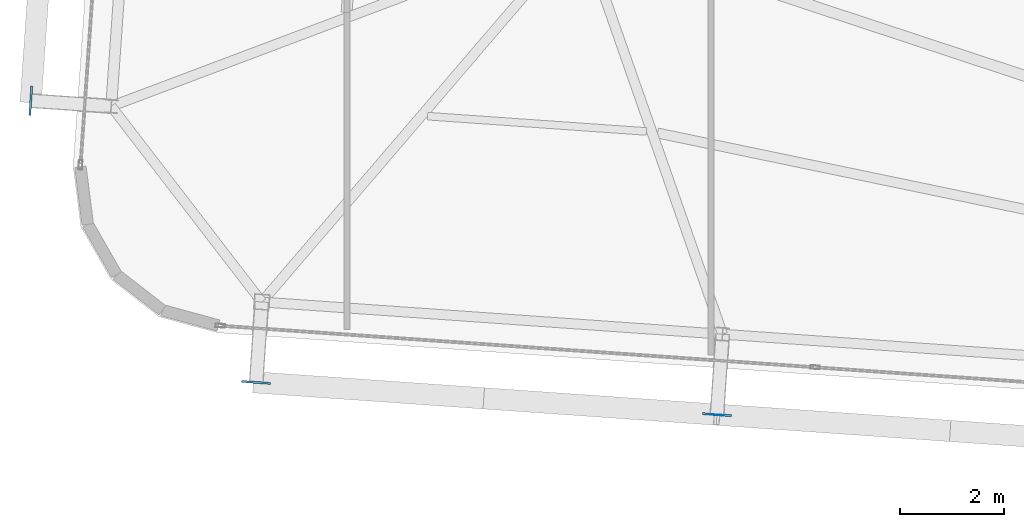
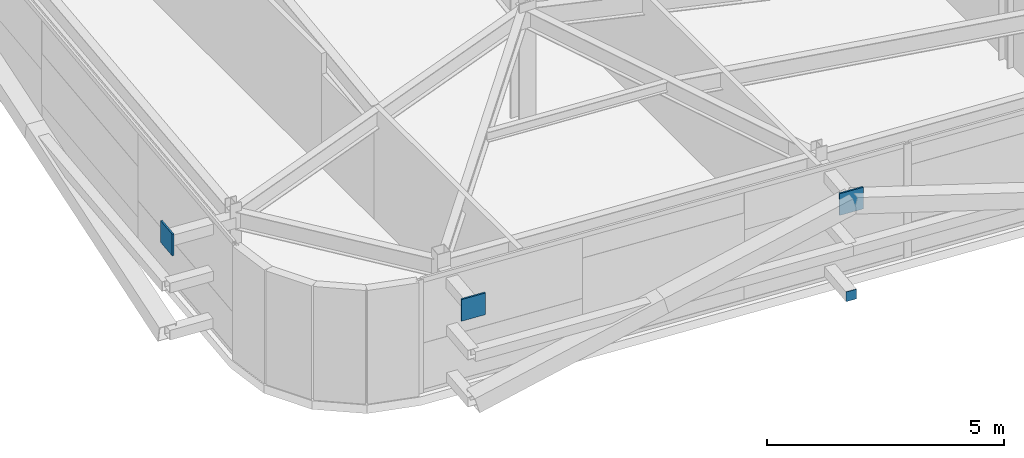
# One storey, part 27 of 39: 4 plates.
"""IFC4 building model written with IfcOpenShell, lengths in metres."""

from ifc_helpers import new_model, si_unit, direction, frame, origin, origin_2d, place, context, subcontext, project, spatial, rectangle, extrude, source, transform, mapped, material, layer, layer_set, type_object, element, save


model = new_model("IFC4")

# Units and contexts
model_context = context("Model", 3, precision=1e-05, world=origin(), true_north=direction((0.0, 1.0)))
body_context = subcontext(model_context, "Body", "Model", "MODEL_VIEW")
ifc_project = project(units=[si_unit("LENGTHUNIT", "METRE"), si_unit("AREAUNIT", "SQUARE_METRE"), si_unit("VOLUMEUNIT", "CUBIC_METRE"), si_unit("PLANEANGLEUNIT", "RADIAN"), si_unit("MASSUNIT", "GRAM", prefix="KILO")], contexts=[model_context])

# Site, building, storey
site_placement = place(None, origin())
site = spatial("IfcSite", under=ifc_project, at=site_placement, CompositionType="ELEMENT")
building_placement = place(site_placement, origin())
building = spatial("IfcBuilding", under=site, at=building_placement, Name="Taldren Reach Tower", CompositionType="ELEMENT")
storey_placement = place(building_placement, frame((0.0, 0.0, 151.89990234375)))
storey = spatial("IfcBuildingStorey", under=building, at=storey_placement, Name="L46", CompositionType="ELEMENT", Elevation=151.89990234375)

# Plates
ifc_material_1 = material(Name="Steel Gr 450 (C450L0)", Category="steel")
ifc_layer_1 = layer(ifc_material_1, 0.0400390625)
ifc_layer_set_1 = layer_set([ifc_layer_1], Name="Steel Gr 450 (C450L0)")
plate_type_1 = type_object("IfcPlateType", Name="PL-GUSSET-40", PredefinedType="SHEET", material=ifc_layer_set_1)
shared_shape_1 = source(origin(), body_context, "Body", "SweptSolid", [
    extrude(rectangle(XDim=0.56005859375, YDim=0.0400390625, at=origin_2d()), origin(), (0.0, 0.0, 1.0), 0.56005859375),
])
for number, where, z_axis, x_axis, name in (
    (1, (11.75537109375, 3.792236328125, 2.3701171875), (0.0, 0.0, 1.0), (0.99756405026, -0.069756473744, 0.0), "Exoskeleton star-node gusset plate B3-S1 L46"),
    (2, (20.61376953125, 3.1728515625, 2.3701171875), (0.0, 0.0, 1.0), (0.99756405026, -0.069756473744, 0.0), "Exoskeleton star-node gusset plate B3-S2 L46"),
    (3, (7.422607421875, 9.20751953125, 2.3701171875), (0.0, 0.0, 1.0), (0.069756473744, 0.99756405026, 0.0), "Exoskeleton star-node gusset plate B3-W1 L46"),
):
    element("IfcPlate", number, at=place(storey_placement, frame(where, z_axis=z_axis, x_axis=x_axis)), inside=storey, type_object=plate_type_1, Name=name, PredefinedType="SHEET", context=body_context, shape_type="MappedRepresentation", body=[
        mapped(shared_shape_1, transform((0.0, 0.0, 0.0), scale=1.0)),
    ])
ifc_material_2 = material(Name="Steel Gr 350 (C350L0)", Category="steel")
ifc_layer_2 = layer(ifc_material_2, 0.011962890625)
ifc_layer_set_2 = layer_set([ifc_layer_2], Name="Steel Gr 350 (C350L0)")
plate_type_2 = type_object("IfcPlateType", Name="PL-CAP-250", PredefinedType="SHEET", material=ifc_layer_set_2)
shared_shape_2 = source(origin(), body_context, "Body", "SweptSolid", [
    extrude(rectangle(XDim=0.25, YDim=0.011962890625, at=origin_2d()), origin(), (0.0, 0.0, 1.0), 0.25),
])
plate_placement = place(storey_placement, frame((20.61328125, 3.166748046875, 0.09521484375), z_axis=(0.0, 0.0, 1.0), x_axis=(0.99756405026, -0.069756473744, 0.0)))
element("IfcPlate", 4, at=plate_placement, inside=storey, type_object=plate_type_2, Name="Tie strut end cap plate B3-S2 L46", PredefinedType="SHEET", context=body_context, shape_type="MappedRepresentation", body=[
    mapped(shared_shape_2, transform((0.0, 0.0, 0.0), scale=1.0)),
])

save(model, "model.ifc")
